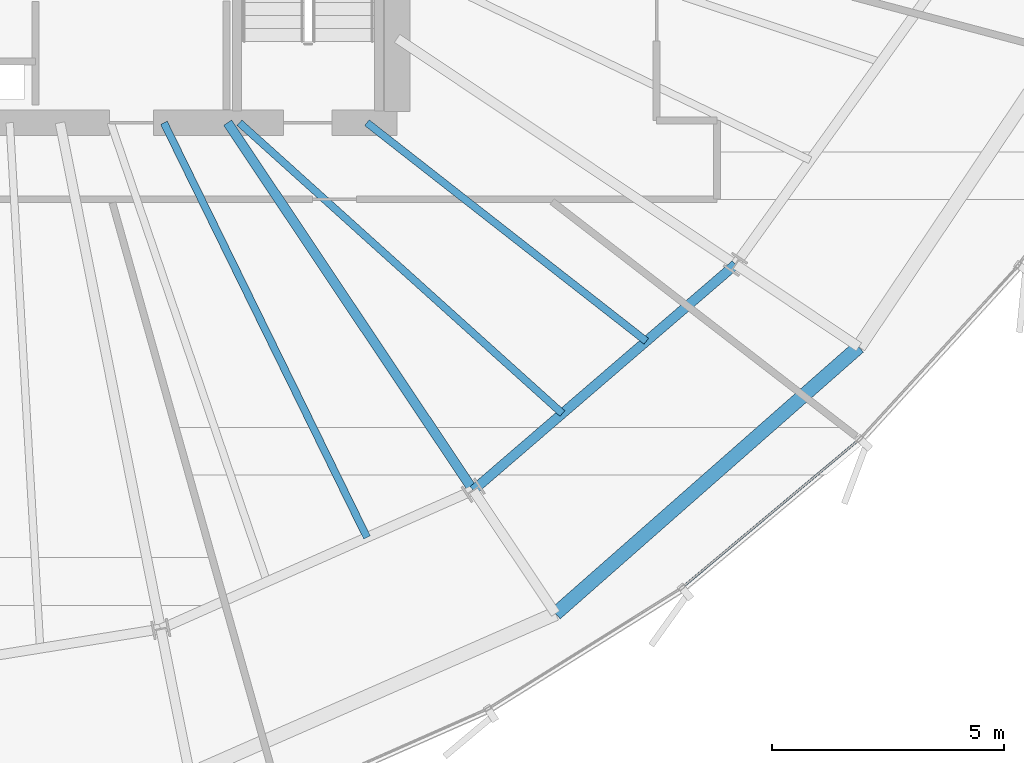
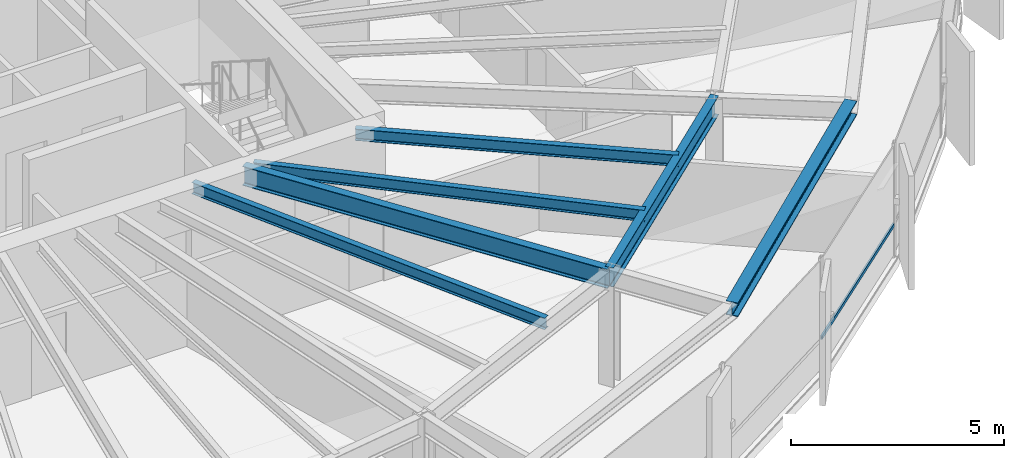
# One storey, part 13 of 35: 6 beams, 1 member, 1 element without a shape of its own.
"""IFC4 building model written with IfcOpenShell, lengths in metres."""

from ifc_helpers import new_model, si_unit, direction, frame, origin, origin_2d, place, context, subcontext, project, spatial, hollow_rectangle, i_section, extrude, source, transform, mapped, material, layer, layer_set, material_profile, profile_set, type_object, element, aggregate, save


model = new_model("IFC4")

# Units and contexts
model_context = context("Model", 3, precision=1e-05, world=origin(), true_north=direction((0.0, 1.0)))
body_context = subcontext(model_context, "Body", "Model", "MODEL_VIEW")
ifc_project = project(units=[si_unit("LENGTHUNIT", "METRE"), si_unit("AREAUNIT", "SQUARE_METRE"), si_unit("VOLUMEUNIT", "CUBIC_METRE"), si_unit("PLANEANGLEUNIT", "RADIAN"), si_unit("MASSUNIT", "GRAM", prefix="KILO"), si_unit("THERMODYNAMICTEMPERATUREUNIT", "KELVIN")], contexts=[model_context])

# Site, building, storey
site_placement = place(None, origin())
site = spatial("IfcSite", under=ifc_project, at=site_placement, CompositionType="ELEMENT")
building_placement = place(site_placement, origin())
building = spatial("IfcBuilding", under=site, at=building_placement, Name="Kethvar Cultural Tower", CompositionType="ELEMENT")
storey_placement = place(building_placement, frame((0.0, 0.0, 146.550048828125)))
storey = spatial("IfcBuildingStorey", under=building, at=storey_placement, Name="L37", CompositionType="ELEMENT", Elevation=146.550048828125)

# Beams
ifc_material_1 = material(Name="Steel S355J2", Category="steel")
ifc_material_profile_1 = material_profile(ifc_material_1, i_section(OverallWidth=0.2099609375, OverallDepth=0.550048828125, WebThickness=0.010986328125, FlangeThickness=0.01708984375, FilletRadius=0.02392578125, at=origin_2d()), Name="Steel S355J2 — IPE550")
ifc_profile_set_1 = profile_set([ifc_material_profile_1], Name="Steel S355J2 — IPE550")
beam_type_1 = type_object("IfcBeamType", Name="BM-IPE550", PredefinedType="BEAM", material=ifc_profile_set_1)
shared_shape_1 = source(origin(), body_context, "Body", "SweptSolid", [
    extrude(i_section(OverallWidth=0.2099609375, OverallDepth=0.550048828125, WebThickness=0.010986328125, FlangeThickness=0.01708984375, FilletRadius=0.02392578125, at=origin_2d()), origin(), (0.0, 0.0, 1.0), 9.534423828125),
])
beam_1_placement = place(storey_placement, frame((51.945068359375, 20.10009765625, 3.02294921875), z_axis=(0.555550817894, -0.831482584747, 0.0), x_axis=(0.831482584747, 0.555550817894, 0.0)))
element("IfcBeam", 1, at=beam_1_placement, inside=storey, type_object=beam_type_1, Name="L37 Primary Radial Beam RB-14", PredefinedType="BEAM", context=body_context, shape_type="MappedRepresentation", body=[
    mapped(shared_shape_1, transform((0.0, 0.0, 0.0), scale=1.0)),
])
ifc_material_profile_2 = material_profile(ifc_material_1, i_section(OverallWidth=0.159912109375, OverallDepth=0.330078125, WebThickness=0.007568359375, FlangeThickness=0.011474609375, FilletRadius=0.01806640625, at=origin_2d()), Name="Steel S355J2 — IPE330")
ifc_profile_set_2 = profile_set([ifc_material_profile_2], Name="Steel S355J2 — IPE330")
beam_type_2 = type_object("IfcBeamType", Name="BM-J330", PredefinedType="JOIST", material=ifc_profile_set_2)
shared_shape_2 = source(origin(), body_context, "Body", "SweptSolid", [
    extrude(i_section(OverallWidth=0.159912109375, OverallDepth=0.330078125, WebThickness=0.007568359375, FlangeThickness=0.011474609375, FilletRadius=0.01806640625, at=origin_2d()), origin(), (0.0, 0.0, 1.0), 9.959228515625),
])
beam_2_placement = place(storey_placement, frame((50.57080078125, 20.10009765625, 3.133056640625), z_axis=(0.439785134514, -0.898103020516, 0.0), x_axis=(0.898103020516, 0.439785134514, 0.0)))
element("IfcBeam", 2, at=beam_2_placement, inside=storey, type_object=beam_type_2, Name="L37 Composite Floor Joist J-13B", PredefinedType="JOIST", context=body_context, shape_type="MappedRepresentation", body=[
    mapped(shared_shape_2, transform((0.0, 0.0, 0.0), scale=1.0)),
])
shared_shape_3 = source(origin(), body_context, "Body", "SweptSolid", [
    extrude(i_section(OverallWidth=0.2099609375, OverallDepth=0.550048828125, WebThickness=0.010986328125, FlangeThickness=0.01708984375, FilletRadius=0.02392578125, at=origin_2d()), origin(), (0.0, 0.0, 1.0), 7.46484375),
])
beam_3_placement = place(storey_placement, frame((57.241943359375, 12.17236328125, 3.02294921875), z_axis=(0.757784075291, 0.652505398625, 0.0), x_axis=(-0.652505398625, 0.757784075291, 0.0)))
element("IfcBeam", 3, at=beam_3_placement, inside=storey, type_object=beam_type_1, Name="L37 Column Ring Tie Beam CR-14", PredefinedType="BEAM", context=body_context, shape_type="MappedRepresentation", body=[
    mapped(shared_shape_3, transform((0.0, 0.0, 0.0), scale=1.0)),
])
ifc_material_profile_3 = material_profile(ifc_material_1, i_section(OverallWidth=0.300048828125, OverallDepth=0.39990234375, WebThickness=0.013427734375, FlangeThickness=0.02392578125, FilletRadius=0.027099609375, at=origin_2d()), Name="Steel S355J2 — HEB400")
ifc_profile_set_3 = profile_set([ifc_material_profile_3], Name="Steel S355J2 — HEB400")
beam_type_3 = type_object("IfcBeamType", Name="BM-SP400", PredefinedType="SPANDREL", material=ifc_profile_set_3)
shared_shape_4 = source(origin(), body_context, "Body", "SweptSolid", [
    extrude(i_section(OverallWidth=0.300048828125, OverallDepth=0.39990234375, WebThickness=0.013427734375, FlangeThickness=0.02392578125, FilletRadius=0.027099609375, at=origin_2d()), origin(), (0.0, 0.0, 1.0), 8.71044921875),
])
beam_4_placement = place(storey_placement, frame((59.019775390625, 9.51171875, 3.097900390625), z_axis=(0.75077856833, 0.660553965498, 0.0), x_axis=(-0.660553965498, 0.75077856833, 0.0)))
element("IfcBeam", 4, at=beam_4_placement, inside=storey, type_object=beam_type_3, Name="L37 Perimeter Spandrel Beam SP-14", PredefinedType="SPANDREL", context=body_context, shape_type="MappedRepresentation", body=[
    mapped(shared_shape_4, transform((0.0, 0.0, 0.0), scale=1.0)),
])
shared_shape_5 = source(origin(), body_context, "Body", "SweptSolid", [
    extrude(i_section(OverallWidth=0.159912109375, OverallDepth=0.330078125, WebThickness=0.007568359375, FlangeThickness=0.011474609375, FilletRadius=0.01806640625, at=origin_2d()), origin(), (0.0, 0.0, 1.0), 9.372802734375),
])
beam_5_placement = place(storey_placement, frame((52.199951171875, 20.10009765625, 3.133056640625), z_axis=(0.743151656479, -0.669123019685, 0.0), x_axis=(0.669123019685, 0.743151656479, 0.0)))
element("IfcBeam", 5, at=beam_5_placement, inside=storey, type_object=beam_type_2, Name="L37 Composite Floor Joist J-14A", PredefinedType="JOIST", context=body_context, shape_type="MappedRepresentation", body=[
    mapped(shared_shape_5, transform((0.0, 0.0, 0.0), scale=1.0)),
])
shared_shape_6 = source(origin(), body_context, "Body", "SweptSolid", [
    extrude(i_section(OverallWidth=0.159912109375, OverallDepth=0.330078125, WebThickness=0.007568359375, FlangeThickness=0.011474609375, FilletRadius=0.01806640625, at=origin_2d()), origin(), (0.0, 0.0, 1.0), 7.649658203125),
])
beam_6_placement = place(storey_placement, frame((54.949951171875, 20.10009765625, 3.133056640625), z_axis=(0.787671994752, -0.616094821179, 0.0), x_axis=(0.616094821179, 0.787671994752, 0.0)))
element("IfcBeam", 6, at=beam_6_placement, inside=storey, type_object=beam_type_2, Name="L37 Composite Floor Joist J-14B", PredefinedType="JOIST", context=body_context, shape_type="MappedRepresentation", body=[
    mapped(shared_shape_6, transform((0.0, 0.0, 0.0), scale=1.0)),
])

# Curtain wall, member
ifc_material_2 = material(Name="Aluminium 6063-T6", Category="aluminium")
ifc_layer = layer(ifc_material_2, 0.179931640625, Name="Aluminium 6063-T6", Category="aluminium")
ifc_layer_set = layer_set([ifc_layer], Name="Aluminium 6063-T6 (180 mm)")
curtain_wall_type = type_object("IfcCurtainWallType", Name="CW-SYS-04-Z34", PredefinedType="NOTDEFINED", material=ifc_layer_set)
curtain_wall_placement = place(storey_placement, origin())
curtain_wall = element("IfcCurtainWall", 7, at=curtain_wall_placement, inside=storey, type_object=curtain_wall_type, Name="L37 Curtain Wall Run 05", PredefinedType="NOTDEFINED")
ifc_material_profile_4 = material_profile(ifc_material_2, hollow_rectangle(XDim=0.050048828125, YDim=0.10009765625, WallThickness=0.00390625, at=origin_2d()), Name="Aluminium 6063-T6 — RHS100x50x4")
ifc_profile_set_4 = profile_set([ifc_material_profile_4], Name="Aluminium 6063-T6 — RHS100x50x4")
member_type = type_object("IfcMemberType", Name="CW-SYS-04-Z34-TRN", PredefinedType="USERDEFINED", material=ifc_profile_set_4)
shared_shape_7 = source(origin(), body_context, "Body", "SweptSolid", [
    extrude(hollow_rectangle(XDim=0.050048828125, YDim=0.10009765625, WallThickness=0.00390625, at=origin_2d()), origin(), (0.0, 0.0, 1.0), 4.92822265625),
])
member_placement = place(storey_placement, frame((61.7763671875, 10.09765625, 0.949951171875), z_axis=(0.767103464752, 0.641523401261, 0.0), x_axis=(-0.641523401261, 0.767103464752, 0.0)))
member = element("IfcMember", 8, at=member_placement, type_object=member_type, Name="CW-L37-R05 Transom 5", ObjectType="TRANSOM", PredefinedType="USERDEFINED", context=body_context, shape_type="MappedRepresentation", body=[
    mapped(shared_shape_7, transform((0.0, 0.0, 0.0), scale=1.0)),
])
aggregate(curtain_wall, [member])

save(model, "model.ifc")
